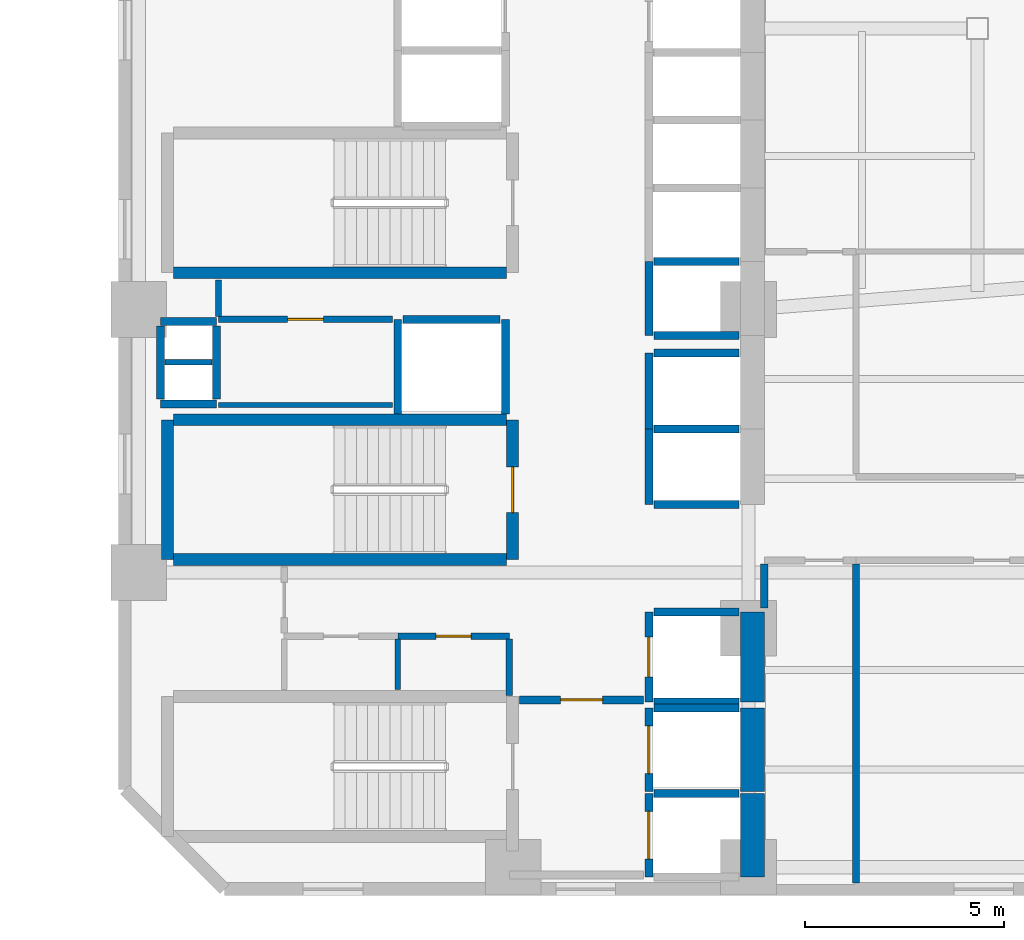
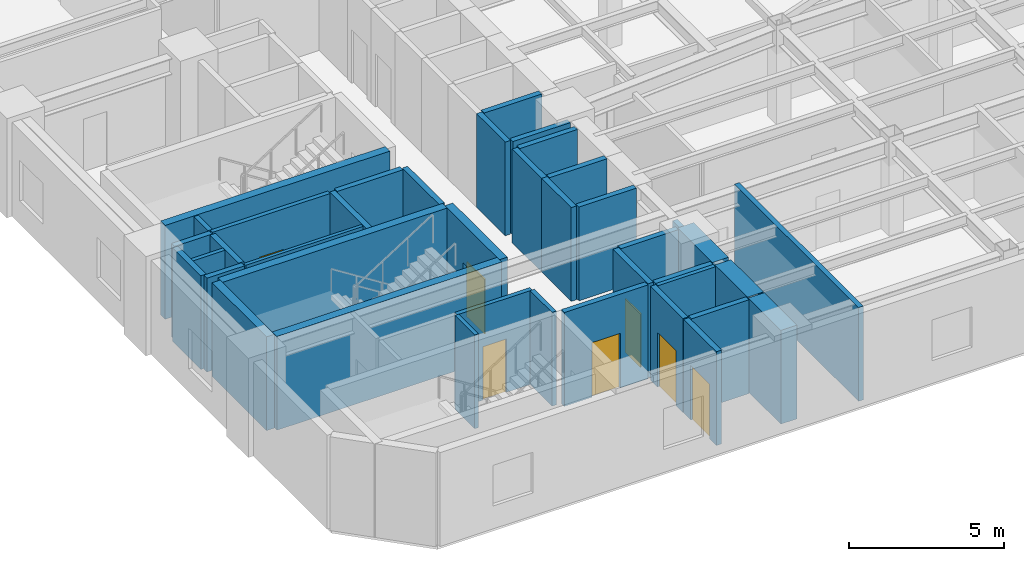
# One storey, part 3 of 10: 40 walls, 7 doors, 7 openings.
"""IFC4 building model written with IfcOpenShell, lengths in metres."""

from ifc_helpers import new_model, si_unit, direction, frame, frame_2d, origin, place, context, subcontext, project, spatial, rectangle, extrude, material, layer, layer_set, type_object, element, fill, save


model = new_model("IFC4")

# Units and contexts
model_context = context("Model", 3, precision=1e-05, world=origin(), true_north=direction((0.0, 1.0)))
body_context = subcontext(model_context, "Body", "Model", "MODEL_VIEW")
ifc_project = project(units=[si_unit("LENGTHUNIT", "METRE"), si_unit("AREAUNIT", "SQUARE_METRE"), si_unit("VOLUMEUNIT", "CUBIC_METRE"), si_unit("PLANEANGLEUNIT", "RADIAN"), si_unit("MASSUNIT", "GRAM", prefix="KILO")], contexts=[model_context])

# Site, building, storey
site_placement = place(None, origin())
site = spatial("IfcSite", under=ifc_project, at=site_placement, CompositionType="ELEMENT")
building_placement = place(site_placement, origin())
building = spatial("IfcBuilding", under=site, at=building_placement, Name="Mawjaban Terraces University", CompositionType="ELEMENT")
storey_placement = place(building_placement, frame((0.0, 0.0, 58.300048828125)))
storey = spatial("IfcBuildingStorey", under=building, at=storey_placement, Name="L13", CompositionType="ELEMENT", Elevation=58.300048828125)

# Walls
ifc_material_1 = material(Name="Acoustic masonry blockwork", Category="masonry")
ifc_layer_1 = layer(ifc_material_1, 0.179931640625)
ifc_layer_set_1 = layer_set([ifc_layer_1], Name="Acoustic masonry blockwork")
wall_type_1 = type_object("IfcWallType", Name="AcousticStudioWall_180", PredefinedType="PARTITIONING", material=ifc_layer_set_1)
wall_1_placement = place(storey_placement, frame((38.050048828125, 7.050048828125, 0.0), z_axis=(0.0, 0.0, 1.0), x_axis=(0.0, 1.0, 0.0)))
element("IfcWall", 1, at=wall_1_placement, inside=storey, type_object=wall_type_1, Name="L13 Core Stair and Lift Lobby East Partition 38", PredefinedType="PARTITIONING", context=body_context, shape_type="SweptSolid", body=[
    extrude(rectangle(XDim=1.114990234375, YDim=0.179931640625, at=frame_2d((0.5576171875, 0.0))), origin(), (0.0, 0.0, 1.0), 3.054931640625),
])
wall_2_placement = place(storey_placement, frame((40.35009765625, 0.155029296875, 0.0), z_axis=(0.0, 0.0, 1.0), x_axis=(0.0, 1.0, 0.0)))
element("IfcWall", 2, at=wall_2_placement, inside=storey, type_object=wall_type_1, Name="L13 Media Workshop 1 Partition 40", PredefinedType="PARTITIONING", context=body_context, shape_type="SweptSolid", body=[
    extrude(rectangle(XDim=8.010009765625, YDim=0.179931640625, at=frame_2d((4.0048828125, 0.0))), origin(), (0.0, 0.0, 1.0), 3.68994140625),
])
ifc_material_2 = material(Name="Concrete C70/85", Category="concrete")
ifc_layer_2 = layer(ifc_material_2, 0.60009765625)
ifc_layer_set_2 = layer_set([ifc_layer_2], Name="Concrete C70/85")
wall_type_2 = type_object("IfcWallType", Name="CoreShearWall_600", PredefinedType="SHEAR", material=ifc_layer_set_2)
wall_3_placement = place(storey_placement, frame((37.75, 0.300048828125, 0.0), z_axis=(0.0, 0.0, 1.0), x_axis=(0.0, 1.0, 0.0)))
element("IfcWall", 3, at=wall_3_placement, inside=storey, type_object=wall_type_2, Name="L13 Lift FL-1 Hoistway Wall East", PredefinedType="SHEAR", context=body_context, shape_type="SweptSolid", body=[
    extrude(rectangle(XDim=2.099853515625, YDim=0.60009765625, at=frame_2d((1.0498046875, 0.0))), origin(), (0.0, 0.0, 1.0), 3.68994140625),
])
wall_4_placement = place(storey_placement, frame((37.75, 2.449951171875, 0.0), z_axis=(0.0, 0.0, 1.0), x_axis=(0.0, 1.0, 0.0)))
element("IfcWall", 4, at=wall_4_placement, inside=storey, type_object=wall_type_2, Name="L13 Lift FL-2 Hoistway Wall East", PredefinedType="SHEAR", context=body_context, shape_type="SweptSolid", body=[
    extrude(rectangle(XDim=2.10009765625, YDim=0.60009765625, at=frame_2d((1.050048828125, 0.0))), origin(), (0.0, 0.0, 1.0), 3.68994140625),
])
wall_5_placement = place(storey_placement, frame((37.75, 4.699951171875, 0.0), z_axis=(0.0, 0.0, 1.0), x_axis=(0.0, 1.0, 0.0)))
element("IfcWall", 5, at=wall_5_placement, inside=storey, type_object=wall_type_2, Name="L13 Lift SL-1 Hoistway Wall East", PredefinedType="SHEAR", context=body_context, shape_type="SweptSolid", body=[
    extrude(rectangle(XDim=2.25, YDim=0.60009765625, at=frame_2d((1.125, 0.0))), origin(), (0.0, 0.0, 1.0), 3.68994140625),
])

# Wall, opening, door
ifc_material_3 = material(Name="Fire-rated gypsum board on steel stud", Category="steel")
ifc_layer_3 = layer(ifc_material_3, 0.159912109375)
ifc_layer_set_3 = layer_set([ifc_layer_3], Name="Fire-rated gypsum board on steel stud")
wall_type_3 = type_object("IfcWallType", Name="CorridorPartition_160", PredefinedType="PARTITIONING", material=ifc_layer_set_3)
wall_6_placement = place(storey_placement, frame((24.35009765625, 14.300048828125, 0.0), z_axis=(0.0, 0.0, 1.0), x_axis=(1.0, 0.0, 0.0)))
wall_6 = element("IfcWall", 6, at=wall_6_placement, inside=storey, type_object=wall_type_3, Name="L13 Core Riser Access Passage Partition 2", PredefinedType="PARTITIONING", context=body_context, shape_type="SweptSolid", body=[
    extrude(rectangle(XDim=4.369873046875, YDim=0.159912109375, at=frame_2d((2.18505859375, 0.0))), origin(), (0.0, 0.0, 1.0), 3.68994140625),
])
opening_1_placement = place(wall_6_placement, frame((1.735107421875, 0.0, 0.0)))
opening_1 = element("IfcOpeningElement", 7, at=opening_1_placement, cuts=wall_6, Name="Opening ID-090", PredefinedType="OPENING", context=body_context, shape_type="SweptSolid", body=[
    extrude(rectangle(XDim=0.89990234375, YDim=2.10009765625, at=frame_2d((0.449951171875, 1.050048828125))), frame((0.0, 0.08984375, 0.0), z_axis=(0.0, -1.0, 0.0), x_axis=(1.0, 0.0, 0.0)), (0.0, 0.0, 1.0), 0.179931640625),
])
ifc_material_4 = material(Name="Powder-coated steel frame and solid acoustic timber leaf", Category="steel")
door_type_1 = type_object("IfcDoorType", Name="OfficeDoor_900x2100", OperationType="NOTDEFINED", PredefinedType="DOOR", material=ifc_material_4)
door_1_placement = place(opening_1_placement, origin())
door_1 = element("IfcDoor", 8, at=door_1_placement, inside=storey, type_object=door_type_1, Name="L13 Cleaner Store Door", OperationType="SINGLE_SWING_LEFT", OverallHeight=2.10009765625, OverallWidth=0.89990234375, PredefinedType="DOOR", context=body_context, shape_type="SweptSolid", body=[
    extrude(rectangle(XDim=0.89990234375, YDim=2.10009765625, at=frame_2d((0.449951171875, 1.050048828125))), frame((0.0, 0.02490234375, 0.0), z_axis=(0.0, -1.0, 0.0), x_axis=(1.0, 0.0, 0.0)), (0.0, 0.0, 1.0), 0.050048828125),
])
fill(opening_1, door_1)

wall_7_placement = place(storey_placement, frame((28.85009765625, 6.35009765625, 0.0), z_axis=(0.0, 0.0, 1.0), x_axis=(1.0, 0.0, 0.0)))
wall_7 = element("IfcWall", 9, at=wall_7_placement, inside=storey, type_object=wall_type_3, Name="L13 Core Washroom Lobby Partition 6", PredefinedType="PARTITIONING", context=body_context, shape_type="SweptSolid", body=[
    extrude(rectangle(XDim=2.7998046875, YDim=0.159912109375, at=frame_2d((1.39990234375, 0.0))), origin(), (0.0, 0.0, 1.0), 3.68994140625),
])
opening_2_placement = place(wall_7_placement, frame((0.9599609375, 0.0, 0.0)))
opening_2 = element("IfcOpeningElement", 10, at=opening_2_placement, cuts=wall_7, Name="Opening ID-088", PredefinedType="OPENING", context=body_context, shape_type="SweptSolid", body=[
    extrude(rectangle(XDim=0.8798828125, YDim=2.10009765625, at=frame_2d((0.43994140625, 1.050048828125))), frame((0.0, 0.08984375, 0.0), z_axis=(0.0, -1.0, 0.0), x_axis=(1.0, 0.0, 0.0)), (0.0, 0.0, 1.0), 0.179931640625),
])
door_type_2 = type_object("IfcDoorType", Name="ToiletDoor_880x2100", OperationType="NOTDEFINED", PredefinedType="DOOR", material=ifc_material_4)
door_2_placement = place(opening_2_placement, origin())
door_2 = element("IfcDoor", 11, at=door_2_placement, inside=storey, type_object=door_type_2, Name="L13 Accessible Toilet Door", OperationType="SINGLE_SWING_RIGHT", OverallHeight=2.10009765625, OverallWidth=0.8798828125, PredefinedType="DOOR", context=body_context, shape_type="SweptSolid", body=[
    extrude(rectangle(XDim=0.8798828125, YDim=2.10009765625, at=frame_2d((0.43994140625, 1.050048828125))), frame((0.0, 0.02490234375, 0.0), z_axis=(0.0, -1.0, 0.0), x_axis=(1.0, 0.0, 0.0)), (0.0, 0.0, 1.0), 0.050048828125),
])
fill(opening_2, door_2)

# Walls
wall_8_placement = place(storey_placement, frame((24.35009765625, 15.2900390625, 0.0), z_axis=(0.0, 0.0, 1.0), x_axis=(0.0, -1.0, 0.0)))
element("IfcWall", 12, at=wall_8_placement, inside=storey, type_object=wall_type_3, Name="L13 Core Riser Access Passage Partition 26", PredefinedType="PARTITIONING", context=body_context, shape_type="SweptSolid", body=[
    extrude(rectangle(XDim=0.9150390625, YDim=0.159912109375, at=frame_2d((0.45751953125, 0.0))), origin(), (0.0, 0.0, 1.0), 3.68994140625),
])
wall_9_placement = place(storey_placement, frame((31.64990234375, 4.860107421875, 0.0), z_axis=(0.0, 0.0, 1.0), x_axis=(0.0, 1.0, 0.0)))
element("IfcWall", 13, at=wall_9_placement, inside=storey, type_object=wall_type_3, Name="L13 Accessible Toilet Partition 35", PredefinedType="PARTITIONING", context=body_context, shape_type="SweptSolid", body=[
    extrude(rectangle(XDim=1.414794921875, YDim=0.159912109375, at=frame_2d((0.70751953125, 0.0))), origin(), (0.0, 0.0, 1.0), 3.68994140625),
])

# Wall, opening, door
ifc_material_5 = material(Name="Concrete C40/50", Category="concrete")
ifc_layer_4 = layer(ifc_material_5, 0.199951171875)
ifc_layer_set_4 = layer_set([ifc_layer_4], Name="Concrete C40/50")
wall_type_4 = type_object("IfcWallType", Name="FireLobbyWall_200", PredefinedType="SOLIDWALL", material=ifc_layer_set_4)
wall_10_placement = place(storey_placement, frame((35.14990234375, 2.39990234375, 0.0), z_axis=(0.0, 0.0, 1.0), x_axis=(0.0, -1.0, 0.0)))
wall_10 = element("IfcWall", 14, at=wall_10_placement, inside=storey, type_object=wall_type_4, Name="L13 Lift FL-1 Hoistway Wall West", PredefinedType="SOLIDWALL", context=body_context, shape_type="SweptSolid", body=[
    extrude(rectangle(XDim=2.099853515625, YDim=0.199951171875, at=frame_2d((1.0498046875, 0.0))), origin(), (0.0, 0.0, 1.0), 3.68994140625),
])
opening_3_placement = place(wall_10_placement, frame((0.449951171875, 0.0, 0.0)))
opening_3 = element("IfcOpeningElement", 15, at=opening_3_placement, cuts=wall_10, Name="Opening LD-FL-1", PredefinedType="OPENING", context=body_context, shape_type="SweptSolid", body=[
    extrude(rectangle(XDim=1.199951171875, YDim=2.14990234375, at=frame_2d((0.60009765625, 1.074951171875))), frame((0.0, 0.10986328125, 0.0), z_axis=(0.0, -1.0, 0.0), x_axis=(1.0, 0.0, 0.0)), (0.0, 0.0, 1.0), 0.219970703125),
])
ifc_material_6 = material(Name="Powder-coated steel frame and fire-rated steel-faced leaf", Category="steel")
door_type_3 = type_object("IfcDoorType", Name="LiftLandingFSAE_1200x2150", OperationType="NOTDEFINED", PredefinedType="DOOR", material=ifc_material_6)
door_3_placement = place(opening_3_placement, origin())
door_3 = element("IfcDoor", 16, at=door_3_placement, inside=storey, type_object=door_type_3, Name="L13 Lift FL-1 Sliding Landing Door", OperationType="DOUBLE_DOOR_SLIDING", OverallHeight=2.14990234375, OverallWidth=1.199951171875, PredefinedType="DOOR", context=body_context, shape_type="SweptSolid", body=[
    extrude(rectangle(XDim=1.199951171875, YDim=2.14990234375, at=frame_2d((0.60009765625, 1.074951171875))), frame((0.0, 0.02490234375, 0.0), z_axis=(0.0, -1.0, 0.0), x_axis=(1.0, 0.0, 0.0)), (0.0, 0.0, 1.0), 0.050048828125),
])
fill(opening_3, door_3)

# Wall
wall_11_placement = place(storey_placement, frame((37.419921875, 2.39990234375, 0.0), z_axis=(0.0, 0.0, 1.0), x_axis=(-1.0, 0.0, 0.0)))
element("IfcWall", 17, at=wall_11_placement, inside=storey, type_object=wall_type_4, Name="L13 Lift FL-1 Hoistway Wall North", PredefinedType="SOLIDWALL", context=body_context, shape_type="SweptSolid", body=[
    extrude(rectangle(XDim=2.139892578125, YDim=0.199951171875, at=frame_2d((1.06982421875, 0.0))), origin(), (0.0, 0.0, 1.0), 3.68994140625),
])

# Wall, opening, door
wall_12_placement = place(storey_placement, frame((35.14990234375, 4.550048828125, 0.0), z_axis=(0.0, 0.0, 1.0), x_axis=(0.0, -1.0, 0.0)))
wall_12 = element("IfcWall", 18, at=wall_12_placement, inside=storey, type_object=wall_type_4, Name="L13 Lift FL-2 Hoistway Wall West", PredefinedType="SOLIDWALL", context=body_context, shape_type="SweptSolid", body=[
    extrude(rectangle(XDim=2.10009765625, YDim=0.199951171875, at=frame_2d((1.050048828125, 0.0))), origin(), (0.0, 0.0, 1.0), 3.68994140625),
])
opening_4_placement = place(wall_12_placement, frame((0.449951171875, 0.0, 0.0)))
opening_4 = element("IfcOpeningElement", 19, at=opening_4_placement, cuts=wall_12, Name="Opening LD-FL-2", PredefinedType="OPENING", context=body_context, shape_type="SweptSolid", body=[
    extrude(rectangle(XDim=1.199951171875, YDim=2.14990234375, at=frame_2d((0.60009765625, 1.074951171875))), frame((0.0, 0.10986328125, 0.0), z_axis=(0.0, -1.0, 0.0), x_axis=(1.0, 0.0, 0.0)), (0.0, 0.0, 1.0), 0.219970703125),
])
door_4_placement = place(opening_4_placement, origin())
door_4 = element("IfcDoor", 20, at=door_4_placement, inside=storey, type_object=door_type_3, Name="L13 Lift FL-2 Sliding Landing Door", OperationType="DOUBLE_DOOR_SLIDING", OverallHeight=2.14990234375, OverallWidth=1.199951171875, PredefinedType="DOOR", context=body_context, shape_type="SweptSolid", body=[
    extrude(rectangle(XDim=1.199951171875, YDim=2.14990234375, at=frame_2d((0.60009765625, 1.074951171875))), frame((0.0, 0.02490234375, 0.0), z_axis=(0.0, -1.0, 0.0), x_axis=(1.0, 0.0, 0.0)), (0.0, 0.0, 1.0), 0.050048828125),
])
fill(opening_4, door_4)

# Wall
wall_13_placement = place(storey_placement, frame((37.419921875, 4.550048828125, 0.0), z_axis=(0.0, 0.0, 1.0), x_axis=(-1.0, 0.0, 0.0)))
element("IfcWall", 21, at=wall_13_placement, inside=storey, type_object=wall_type_4, Name="L13 Lift FL-2 Hoistway Wall North", PredefinedType="SOLIDWALL", context=body_context, shape_type="SweptSolid", body=[
    extrude(rectangle(XDim=2.139892578125, YDim=0.199951171875, at=frame_2d((1.06982421875, 0.0))), origin(), (0.0, 0.0, 1.0), 3.68994140625),
])

# Wall, opening, door
wall_14_placement = place(storey_placement, frame((35.14990234375, 6.949951171875, 0.0), z_axis=(0.0, 0.0, 1.0), x_axis=(0.0, -1.0, 0.0)))
wall_14 = element("IfcWall", 22, at=wall_14_placement, inside=storey, type_object=wall_type_4, Name="L13 Lift SL-1 Hoistway Wall West", PredefinedType="SOLIDWALL", context=body_context, shape_type="SweptSolid", body=[
    extrude(rectangle(XDim=2.25, YDim=0.199951171875, at=frame_2d((1.125, 0.0))), origin(), (0.0, 0.0, 1.0), 3.68994140625),
])
opening_5_placement = place(wall_14_placement, frame((0.625, 0.0, 0.0)))
opening_5 = element("IfcOpeningElement", 23, at=opening_5_placement, cuts=wall_14, Name="Opening LD-SL-1", PredefinedType="OPENING", context=body_context, shape_type="SweptSolid", body=[
    extrude(rectangle(XDim=1.0, YDim=2.10009765625, at=frame_2d((0.5, 1.050048828125))), frame((0.0, 0.10986328125, 0.0), z_axis=(0.0, -1.0, 0.0), x_axis=(1.0, 0.0, 0.0)), (0.0, 0.0, 1.0), 0.219970703125),
])
door_type_4 = type_object("IfcDoorType", Name="LiftLandingSliding_1000x2100", OperationType="NOTDEFINED", PredefinedType="DOOR", material=ifc_material_6)
door_5_placement = place(opening_5_placement, origin())
door_5 = element("IfcDoor", 24, at=door_5_placement, inside=storey, type_object=door_type_4, Name="L13 Lift SL-1 Sliding Landing Door", OperationType="DOUBLE_DOOR_SLIDING", OverallHeight=2.10009765625, OverallWidth=1.0, PredefinedType="DOOR", context=body_context, shape_type="SweptSolid", body=[
    extrude(rectangle(XDim=1.0, YDim=2.10009765625, at=frame_2d((0.5, 1.050048828125))), frame((0.0, 0.02490234375, 0.0), z_axis=(0.0, -1.0, 0.0), x_axis=(1.0, 0.0, 0.0)), (0.0, 0.0, 1.0), 0.050048828125),
])
fill(opening_5, door_5)

# Walls
for number, where, z_axis, x_axis, name in (
    (25, (35.280029296875, 4.699951171875, 0.0), (0.0, 0.0, 1.0), (1.0, 0.0, 0.0), "L13 Lift SL-1 Hoistway Wall South"),
    (26, (37.419921875, 6.949951171875, 0.0), (0.0, 0.0, 1.0), (-1.0, 0.0, 0.0), "L13 Lift SL-1 Hoistway Wall North"),
):
    element("IfcWall", number, at=place(storey_placement, frame(where, z_axis=z_axis, x_axis=x_axis)), inside=storey, type_object=wall_type_4, Name=name, PredefinedType="SOLIDWALL", context=body_context, shape_type="SweptSolid", body=[
        extrude(rectangle(XDim=2.139892578125, YDim=0.199951171875, at=frame_2d((1.06982421875, 0.0))), origin(), (0.0, 0.0, 1.0), 3.68994140625),
    ])
wall_15_placement = place(storey_placement, frame((35.14990234375, 11.550048828125, 0.0), z_axis=(0.0, 0.0, 1.0), x_axis=(0.0, -1.0, 0.0)))
element("IfcWall", 27, at=wall_15_placement, inside=storey, type_object=wall_type_4, Name="L13 Lift PL-H1 Hoistway Wall West", PredefinedType="SOLIDWALL", context=body_context, shape_type="SweptSolid", body=[
    extrude(rectangle(XDim=1.900146484375, YDim=0.199951171875, at=frame_2d((0.9501953125, 0.0))), origin(), (0.0, 0.0, 1.0), 3.68994140625),
])
for number, where, z_axis, x_axis, name in (
    (28, (35.280029296875, 9.64990234375, 0.0), (0.0, 0.0, 1.0), (1.0, 0.0, 0.0), "L13 Lift PL-H1 Hoistway Wall South"),
    (29, (37.419921875, 11.550048828125, 0.0), (0.0, 0.0, 1.0), (-1.0, 0.0, 0.0), "L13 Lift PL-H1 Hoistway Wall North"),
):
    element("IfcWall", number, at=place(storey_placement, frame(where, z_axis=z_axis, x_axis=x_axis)), inside=storey, type_object=wall_type_4, Name=name, PredefinedType="SOLIDWALL", context=body_context, shape_type="SweptSolid", body=[
        extrude(rectangle(XDim=2.139892578125, YDim=0.199951171875, at=frame_2d((1.06982421875, 0.0))), origin(), (0.0, 0.0, 1.0), 3.68994140625),
    ])
wall_16_placement = place(storey_placement, frame((35.14990234375, 13.449951171875, 0.0), z_axis=(0.0, 0.0, 1.0), x_axis=(0.0, -1.0, 0.0)))
element("IfcWall", 30, at=wall_16_placement, inside=storey, type_object=wall_type_4, Name="L13 Lift PL-H2 Hoistway Wall West", PredefinedType="SOLIDWALL", context=body_context, shape_type="SweptSolid", body=[
    extrude(rectangle(XDim=1.89990234375, YDim=0.199951171875, at=frame_2d((0.949951171875, 0.0))), origin(), (0.0, 0.0, 1.0), 3.68994140625),
])
wall_17_placement = place(storey_placement, frame((37.419921875, 13.449951171875, 0.0), z_axis=(0.0, 0.0, 1.0), x_axis=(-1.0, 0.0, 0.0)))
element("IfcWall", 31, at=wall_17_placement, inside=storey, type_object=wall_type_4, Name="L13 Lift PL-H2 Hoistway Wall North", PredefinedType="SOLIDWALL", context=body_context, shape_type="SweptSolid", body=[
    extrude(rectangle(XDim=2.139892578125, YDim=0.199951171875, at=frame_2d((1.06982421875, 0.0))), origin(), (0.0, 0.0, 1.0), 3.68994140625),
])
for number, where, z_axis, x_axis, name in (
    (32, (28.85009765625, 14.300048828125, 0.0), (0.0, 0.0, 1.0), (0.0, -1.0, 0.0), "L13 Lift PL-H3 Hoistway Wall West"),
    (33, (31.550048828125, 11.929931640625, 0.0), (0.0, 0.0, 1.0), (0.0, 1.0, 0.0), "L13 Lift PL-H3 Hoistway Wall East"),
):
    element("IfcWall", number, at=place(storey_placement, frame(where, z_axis=z_axis, x_axis=x_axis)), inside=storey, type_object=wall_type_4, Name=name, PredefinedType="SOLIDWALL", context=body_context, shape_type="SweptSolid", body=[
        extrude(rectangle(XDim=2.3701171875, YDim=0.199951171875, at=frame_2d((1.18505859375, 0.0))), origin(), (0.0, 0.0, 1.0), 3.68994140625),
    ])
wall_18_placement = place(storey_placement, frame((31.419921875, 14.300048828125, 0.0), z_axis=(0.0, 0.0, 1.0), x_axis=(-1.0, 0.0, 0.0)))
element("IfcWall", 34, at=wall_18_placement, inside=storey, type_object=wall_type_4, Name="L13 Lift PL-H3 Hoistway Wall North", PredefinedType="SOLIDWALL", context=body_context, shape_type="SweptSolid", body=[
    extrude(rectangle(XDim=2.43994140625, YDim=0.199951171875, at=frame_2d((1.219970703125, 0.0))), origin(), (0.0, 0.0, 1.0), 3.68994140625),
])
wall_19_placement = place(storey_placement, frame((35.14990234375, 15.75, 0.0), z_axis=(0.0, 0.0, 1.0), x_axis=(0.0, -1.0, 0.0)))
element("IfcWall", 35, at=wall_19_placement, inside=storey, type_object=wall_type_4, Name="L13 Lift OL-1 Hoistway Wall West", PredefinedType="SOLIDWALL", context=body_context, shape_type="SweptSolid", body=[
    extrude(rectangle(XDim=1.85009765625, YDim=0.199951171875, at=frame_2d((0.925048828125, 0.0))), origin(), (0.0, 0.0, 1.0), 3.68994140625),
])
for number, where, z_axis, x_axis, name in (
    (36, (35.280029296875, 13.89990234375, 0.0), (0.0, 0.0, 1.0), (1.0, 0.0, 0.0), "L13 Lift OL-1 Hoistway Wall South"),
    (37, (37.419921875, 15.75, 0.0), (0.0, 0.0, 1.0), (-1.0, 0.0, 0.0), "L13 Lift OL-1 Hoistway Wall North"),
):
    element("IfcWall", number, at=place(storey_placement, frame(where, z_axis=z_axis, x_axis=x_axis)), inside=storey, type_object=wall_type_4, Name=name, PredefinedType="SOLIDWALL", context=body_context, shape_type="SweptSolid", body=[
        extrude(rectangle(XDim=2.139892578125, YDim=0.199951171875, at=frame_2d((1.06982421875, 0.0))), origin(), (0.0, 0.0, 1.0), 3.68994140625),
    ])
for number, where, z_axis, x_axis, name in (
    (38, (22.89990234375, 14.25, 0.0), (0.0, 0.0, 1.0), (1.0, 0.0, 0.0), "L13 MEP Riser Shaft Wall N"),
    (39, (22.89990234375, 12.179931640625, 0.0), (0.0, 0.0, 1.0), (1.0, 0.0, 0.0), "L13 MEP Riser Shaft Wall S"),
):
    element("IfcWall", number, at=place(storey_placement, frame(where, z_axis=z_axis, x_axis=x_axis)), inside=storey, type_object=wall_type_4, Name=name, PredefinedType="SOLIDWALL", context=body_context, shape_type="SweptSolid", body=[
        extrude(rectangle(XDim=1.400146484375, YDim=0.199951171875, at=frame_2d((0.7001953125, 0.0))), origin(), (0.0, 0.0, 1.0), 3.68994140625),
    ])
for number, where, z_axis, x_axis, name in (
    (40, (24.300048828125, 12.300048828125, 0.0), (0.0, 0.0, 1.0), (0.0, 1.0, 0.0), "L13 MEP Riser Shaft Wall E"),
    (41, (22.89990234375, 12.300048828125, 0.0), (0.0, 0.0, 1.0), (0.0, 1.0, 0.0), "L13 MEP Riser Shaft Wall W"),
):
    element("IfcWall", number, at=place(storey_placement, frame(where, z_axis=z_axis, x_axis=x_axis)), inside=storey, type_object=wall_type_4, Name=name, PredefinedType="SOLIDWALL", context=body_context, shape_type="SweptSolid", body=[
        extrude(rectangle(XDim=1.829833984375, YDim=0.199951171875, at=frame_2d((0.9150390625, 0.0))), origin(), (0.0, 0.0, 1.0), 3.68994140625),
    ])

# Wall, opening, door
wall_20_placement = place(storey_placement, frame((35.02001953125, 4.75, 0.0), z_axis=(0.0, 0.0, 1.0), x_axis=(-1.0, 0.0, 0.0)))
wall_20 = element("IfcWall", 42, at=wall_20_placement, inside=storey, type_object=wall_type_4, Name="L13 Firefighting Lift Lobby Partition 10", PredefinedType="SOLIDWALL", context=body_context, shape_type="SweptSolid", body=[
    extrude(rectangle(XDim=3.110107421875, YDim=0.199951171875, at=frame_2d((1.55517578125, 0.0))), origin(), (0.0, 0.0, 1.0), 3.68994140625),
])
opening_6_placement = place(wall_20_placement, frame((1.030029296875, 0.0, 0.0)))
opening_6 = element("IfcOpeningElement", 43, at=opening_6_placement, cuts=wall_20, Name="Opening FD-105", PredefinedType="OPENING", context=body_context, shape_type="SweptSolid", body=[
    extrude(rectangle(XDim=1.050048828125, YDim=2.14990234375, at=frame_2d((0.52490234375, 1.074951171875))), frame((0.0, 0.10986328125, 0.0), z_axis=(0.0, -1.0, 0.0), x_axis=(1.0, 0.0, 0.0)), (0.0, 0.0, 1.0), 0.219970703125),
])
door_type_5 = type_object("IfcDoorType", Name="FireLobbyDoor_1050x2150", OperationType="NOTDEFINED", PredefinedType="DOOR", material=ifc_material_6)
door_6_placement = place(opening_6_placement, origin())
door_6 = element("IfcDoor", 44, at=door_6_placement, inside=storey, type_object=door_type_5, Name="L13 Firefighting Lift Lobby Door", OperationType="SINGLE_SWING_LEFT", OverallHeight=2.14990234375, OverallWidth=1.050048828125, PredefinedType="DOOR", context=body_context, shape_type="SweptSolid", body=[
    extrude(rectangle(XDim=1.050048828125, YDim=2.14990234375, at=frame_2d((0.52490234375, 1.074951171875))), frame((0.0, 0.02490234375, 0.0), z_axis=(0.0, -1.0, 0.0), x_axis=(1.0, 0.0, 0.0)), (0.0, 0.0, 1.0), 0.050048828125),
])
fill(opening_6, door_6)

# Walls
ifc_material_7 = material(Name="Moisture-resistant gypsum board on steel stud", Category="steel")
ifc_layer_5 = layer(ifc_material_7, 0.14501953125)
ifc_layer_set_5 = layer_set([ifc_layer_5], Name="Moisture-resistant gypsum board on steel stud")
wall_type_5 = type_object("IfcWallType", Name="LabPartition_145", PredefinedType="PARTITIONING", material=ifc_layer_set_5)
wall_21_placement = place(storey_placement, frame((23.010009765625, 13.22509765625, 0.0), z_axis=(0.0, 0.0, 1.0), x_axis=(1.0, 0.0, 0.0)))
element("IfcWall", 45, at=wall_21_placement, inside=storey, type_object=wall_type_5, Name="L13 MEP Riser Shaft Wall M", PredefinedType="PARTITIONING", context=body_context, shape_type="SweptSolid", body=[
    extrude(rectangle(XDim=1.179931640625, YDim=0.14501953125, at=frame_2d((0.58984375, 0.0))), origin(), (0.0, 0.0, 1.0), 3.68994140625),
])
ifc_material_8 = material(Name="Gypsum plasterboard on steel stud", Category="steel")
ifc_layer_6 = layer(ifc_material_8, 0.125)
ifc_layer_set_6 = layer_set([ifc_layer_6], Name="Gypsum plasterboard on steel stud")
wall_type_6 = type_object("IfcWallType", Name="OfficePartition_125", PredefinedType="PARTITIONING", material=ifc_layer_set_6)
wall_22_placement = place(storey_placement, frame((24.35009765625, 12.14990234375, 0.0), z_axis=(0.0, 0.0, 1.0), x_axis=(1.0, 0.0, 0.0)))
element("IfcWall", 46, at=wall_22_placement, inside=storey, type_object=wall_type_6, Name="L13 Cleaner Store Partition 1", PredefinedType="PARTITIONING", context=body_context, shape_type="SweptSolid", body=[
    extrude(rectangle(XDim=4.369873046875, YDim=0.125, at=frame_2d((2.18505859375, 0.0))), origin(), (0.0, 0.0, 1.0), 3.68994140625),
])
ifc_material_9 = material(Name="Concrete C60/75", Category="concrete")
ifc_layer_7 = layer(ifc_material_9, 0.300048828125)
ifc_layer_set_7 = layer_set([ifc_layer_7], Name="Concrete C60/75")
wall_type_7 = type_object("IfcWallType", Name="StairShaftWall_300", PredefinedType="SHEAR", material=ifc_layer_set_7)
for number, where, z_axis, x_axis, name in (
    (47, (23.219970703125, 15.469970703125, 0.0), (0.0, 0.0, 1.0), (1.0, 0.0, 0.0), "L13 ST-2 Stair Shaft Wall 3"),
    (48, (31.580078125, 11.780029296875, 0.0), (0.0, 0.0, 1.0), (-1.0, 0.0, 0.0), "L13 ST-3 Stair Shaft Wall 1"),
):
    element("IfcWall", number, at=place(storey_placement, frame(where, z_axis=z_axis, x_axis=x_axis)), inside=storey, type_object=wall_type_7, Name=name, PredefinedType="SHEAR", context=body_context, shape_type="SweptSolid", body=[
        extrude(rectangle(XDim=8.360107421875, YDim=0.300048828125, at=frame_2d((4.18017578125, 0.0))), origin(), (0.0, 0.0, 1.0), 3.68994140625),
    ])
wall_23_placement = place(storey_placement, frame((23.070068359375, 11.780029296875, 0.0), z_axis=(0.0, 0.0, 1.0), x_axis=(0.0, -1.0, 0.0)))
element("IfcWall", 49, at=wall_23_placement, inside=storey, type_object=wall_type_7, Name="L13 ST-3 Stair Shaft Wall 2", PredefinedType="SHEAR", context=body_context, shape_type="SweptSolid", body=[
    extrude(rectangle(XDim=3.510009765625, YDim=0.300048828125, at=frame_2d((1.7548828125, 0.0))), origin(), (0.0, 0.0, 1.0), 3.68994140625),
])
wall_24_placement = place(storey_placement, frame((23.219970703125, 8.27001953125, 0.0), z_axis=(0.0, 0.0, 1.0), x_axis=(1.0, 0.0, 0.0)))
element("IfcWall", 50, at=wall_24_placement, inside=storey, type_object=wall_type_7, Name="L13 ST-3 Stair Shaft Wall 3", PredefinedType="SHEAR", context=body_context, shape_type="SweptSolid", body=[
    extrude(rectangle(XDim=8.360107421875, YDim=0.300048828125, at=frame_2d((4.18017578125, 0.0))), origin(), (0.0, 0.0, 1.0), 3.68994140625),
])

# Wall, opening, door
wall_25_placement = place(storey_placement, frame((31.72998046875, 8.27001953125, 0.0), z_axis=(0.0, 0.0, 1.0), x_axis=(0.0, 1.0, 0.0)))
wall_25 = element("IfcWall", 51, at=wall_25_placement, inside=storey, type_object=wall_type_7, Name="L13 ST-3 Stair Shaft Wall 4", PredefinedType="SHEAR", context=body_context, shape_type="SweptSolid", body=[
    extrude(rectangle(XDim=3.510009765625, YDim=0.300048828125, at=frame_2d((1.7548828125, 0.0))), origin(), (0.0, 0.0, 1.0), 3.68994140625),
])
opening_7_placement = place(wall_25_placement, frame((1.179931640625, 0.0, 0.0)))
opening_7 = element("IfcOpeningElement", 52, at=opening_7_placement, cuts=wall_25, Name="Opening FD-115", PredefinedType="OPENING", context=body_context, shape_type="SweptSolid", body=[
    extrude(rectangle(XDim=1.14990234375, YDim=2.14990234375, at=frame_2d((0.574951171875, 1.074951171875))), frame((0.0, 0.159912109375, 0.0), z_axis=(0.0, -1.0, 0.0), x_axis=(1.0, 0.0, 0.0)), (0.0, 0.0, 1.0), 0.320068359375),
])
door_type_6 = type_object("IfcDoorType", Name="FireStairDoor_1150x2150", OperationType="NOTDEFINED", PredefinedType="DOOR", material=ifc_material_6)
door_7_placement = place(opening_7_placement, origin())
door_7 = element("IfcDoor", 53, at=door_7_placement, inside=storey, type_object=door_type_6, Name="L13 ST-3 Pressurised Stair Fire Door", OperationType="SINGLE_SWING_RIGHT", OverallHeight=2.14990234375, OverallWidth=1.14990234375, PredefinedType="DOOR", context=body_context, shape_type="SweptSolid", body=[
    extrude(rectangle(XDim=1.14990234375, YDim=2.14990234375, at=frame_2d((0.574951171875, 1.074951171875))), frame((0.0, 0.02490234375, 0.0), z_axis=(0.0, -1.0, 0.0), x_axis=(1.0, 0.0, 0.0)), (0.0, 0.0, 1.0), 0.050048828125),
])
fill(opening_7, door_7)

# Wall
ifc_material_10 = material(Name="Cement-board wet-room partition", Category="masonry")
ifc_layer_8 = layer(ifc_material_10, 0.135009765625)
ifc_layer_set_8 = layer_set([ifc_layer_8], Name="Cement-board wet-room partition")
wall_type_8 = type_object("IfcWallType", Name="WetRoomPartition_135", PredefinedType="PARTITIONING", material=ifc_layer_set_8)
wall_26_placement = place(storey_placement, frame((28.85009765625, 5.010009765625, 0.0), z_axis=(0.0, 0.0, 1.0), x_axis=(0.0, 1.0, 0.0)))
element("IfcWall", 54, at=wall_26_placement, inside=storey, type_object=wall_type_8, Name="L13 Male Toilet Partition 30", PredefinedType="PARTITIONING", context=body_context, shape_type="SweptSolid", body=[
    extrude(rectangle(XDim=1.264892578125, YDim=0.135009765625, at=frame_2d((0.63232421875, 0.0))), origin(), (0.0, 0.0, 1.0), 3.68994140625),
])

save(model, "model.ifc")
